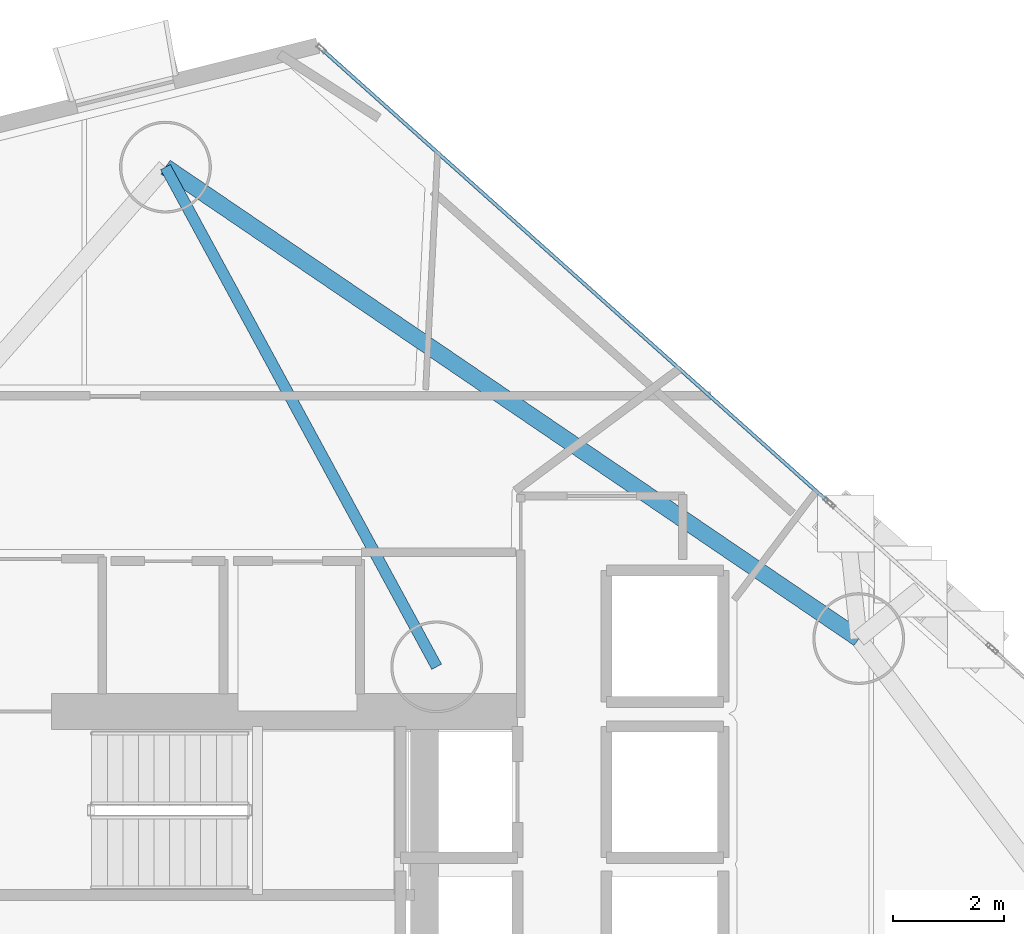
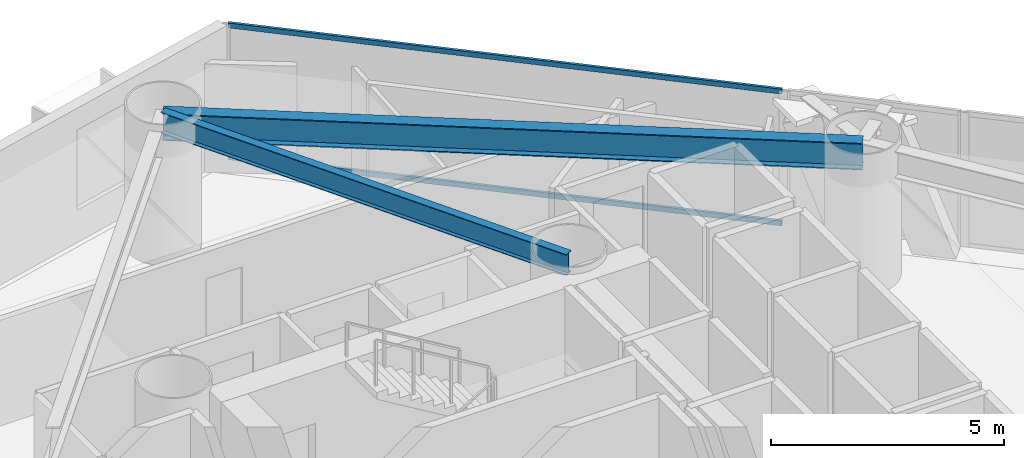
# One storey, part 11 of 24: 2 beams, 2 members, 1 element without a shape of its own.
"""IFC4 building model written with IfcOpenShell, lengths in metres."""

import ifcopenshell
import ifcopenshell.guid

model = None  # the IFC model being written
_history = None  # IfcOwnerHistory: only IFC2X3 demands one
_inside = {}  # id of a spatial element -> (the spatial element, [elements in it])
_under = {}  # id of a project, library or spatial element -> (it, [spatial elements below it])
_declared = {}  # id of a project -> (the project, [libraries it declares])
_typed = {}  # id of a type object -> (the type object, [elements of that type])
_made_of = {}  # id of a material, layer set ... -> (it, [elements and type objects made of it])


def new_model(schema):
    """Start an empty IFC model of exactly this schema.

    Asked for "IFC4X3", IfcOpenShell would pick the latest addendum, in which some entities
    have other attributes; the version numbers below select the first issue.
    IFC2X3 requires an IfcOwnerHistory on every rooted entity: one is made here for all.
    """
    global model, _history
    if schema == "IFC4X3":
        model = ifcopenshell.file(schema_version=(4, 3, 0, 0))
    else:
        model = ifcopenshell.file(schema=schema)
    _inside.clear()
    _under.clear()
    _declared.clear()
    _typed.clear()
    _made_of.clear()
    _history = None
    if model.schema == "IFC2X3":
        org = make("IfcOrganization", Name="unknown")
        user = make(
            "IfcPersonAndOrganization",
            ThePerson=make("IfcPerson", FamilyName="unknown"),
            TheOrganization=org,
        )
        app = make(
            "IfcApplication",
            ApplicationDeveloper=org,
            Version="unknown",
            ApplicationFullName="unknown",
            ApplicationIdentifier="unknown",
        )
        _history = make(
            "IfcOwnerHistory",
            OwningUser=user,
            OwningApplication=app,
            ChangeAction="ADDED",
            CreationDate=0,
        )
    return model


def make(cls, **values):
    """One entity of the class cls with the attributes given. An attribute that is None is left unset."""
    return model.create_entity(
        cls, **{name: value for name, value in values.items() if value is not None}
    )


def rooted(cls, **values):
    """An entity with a GlobalId (a new one), such as an element, a storey or a relation."""
    return make(cls, GlobalId=ifcopenshell.guid.new(), OwnerHistory=_history, **values)


def si_unit(unit_type, name, prefix=None):
    """IfcSIUnit, for example si_unit("LENGTHUNIT", "METRE", prefix="MILLI")."""
    return make("IfcSIUnit", UnitType=unit_type, Prefix=prefix, Name=name)


def assignment(units):
    """IfcUnitAssignment: the units of a project."""
    return None if units is None else make("IfcUnitAssignment", Units=units)


def point(xyz):
    """IfcCartesianPoint."""
    return None if xyz is None else make("IfcCartesianPoint", Coordinates=xyz)


def direction(xyz):
    """IfcDirection."""
    return None if xyz is None else make("IfcDirection", DirectionRatios=xyz)


def frame(location, z_axis=None, x_axis=None):
    """IfcAxis2Placement3D, a coordinate frame: its origin and axes. An axis left out is left unset."""
    return make(
        "IfcAxis2Placement3D",
        Location=point(location),
        Axis=direction(z_axis),
        RefDirection=direction(x_axis),
    )


def frame_2d(location, x_axis=None):
    """IfcAxis2Placement2D, a coordinate frame in the plane: its origin and x axis."""
    return make(
        "IfcAxis2Placement2D", Location=point(location), RefDirection=direction(x_axis)
    )


def origin():
    """The frame at (0, 0, 0) with its axes left unset."""
    return frame((0.0, 0.0, 0.0))


def origin_2d():
    """The frame at (0, 0) in the plane with its x axis left unset."""
    return frame_2d((0.0, 0.0))


def place(relative_to, where):
    """IfcLocalPlacement: puts the frame where relative to a parent placement (None: the world)."""
    return make(
        "IfcLocalPlacement", PlacementRelTo=relative_to, RelativePlacement=where
    )


def context(
    kind, dimensions, precision=None, world=None, true_north=None, identifier=None
):
    """IfcGeometricRepresentationContext, for example the 3D "Model" context."""
    return make(
        "IfcGeometricRepresentationContext",
        ContextIdentifier=identifier,
        ContextType=kind,
        CoordinateSpaceDimension=dimensions,
        Precision=precision,
        WorldCoordinateSystem=world,
        TrueNorth=true_north,
    )


def subcontext(parent, identifier, kind, view, scale=None):
    """IfcGeometricRepresentationSubContext, for example "Body" below "Model"."""
    return make(
        "IfcGeometricRepresentationSubContext",
        ContextIdentifier=identifier,
        ContextType=kind,
        ParentContext=parent,
        TargetScale=scale,
        TargetView=view,
    )


def project(units=None, contexts=None):
    """IfcProject with its units and contexts."""
    return rooted(
        "IfcProject",
        Name="project",
        RepresentationContexts=contexts,
        UnitsInContext=assignment(units),
    )


def spatial(cls, under=None, at=None, **own):
    """A site, building, storey or space (cls), placed at a placement, below another one or the project."""
    s = rooted(cls, ObjectPlacement=at, **own)
    if under is not None:
        _under.setdefault(under.id(), (under, []))[1].append(s)
    return s


def profile(cls, at=None, kind="AREA", **sizes):
    """A parametric profile (cls). Its sizes go by their IFC names, for example OverallWidth=200.0."""
    return make(cls, ProfileType=kind, Position=at, **sizes)


def hollow_rectangle(**sizes):
    """IfcRectangleHollowProfileDef."""
    return profile("IfcRectangleHollowProfileDef", **sizes)


def i_section(**sizes):
    """IfcIShapeProfileDef."""
    return profile("IfcIShapeProfileDef", **sizes)


def extrude(swept, where, along, depth):
    """IfcExtrudedAreaSolid: the profile swept, set in the frame where, extruded along a direction by depth."""
    return make(
        "IfcExtrudedAreaSolid",
        SweptArea=swept,
        Position=where,
        ExtrudedDirection=direction(along),
        Depth=depth,
    )


def shape(context_of_items, identifier, shape_type, items):
    """IfcShapeRepresentation: the items that make up one representation, for example the "Body"."""
    return make(
        "IfcShapeRepresentation",
        ContextOfItems=context_of_items,
        RepresentationIdentifier=identifier,
        RepresentationType=shape_type,
        Items=items,
    )


def material(Name=None, Category=None):
    """IfcMaterial."""
    return make("IfcMaterial", Name=Name, Category=Category)


def layer(
    of_material, thickness, ventilated=None, Name=None, Category=None, Priority=None
):
    """IfcMaterialLayer: one layer of a wall or slab, of a material (None: an air gap)."""
    return make(
        "IfcMaterialLayer",
        Material=of_material,
        LayerThickness=thickness,
        IsVentilated=ventilated,
        Name=Name,
        Category=Category,
        Priority=Priority,
    )


def layer_set(layers, Name=None):
    """IfcMaterialLayerSet."""
    return make("IfcMaterialLayerSet", MaterialLayers=layers, LayerSetName=Name)


def material_profile(
    of_material, cross_section, Name=None, Category=None, Priority=None
):
    """IfcMaterialProfile: a cross section and its material."""
    return make(
        "IfcMaterialProfile",
        Name=Name,
        Material=of_material,
        Profile=cross_section,
        Priority=Priority,
        Category=Category,
    )


def profile_set(profiles, Name=None, composite=None):
    """IfcMaterialProfileSet."""
    return make(
        "IfcMaterialProfileSet",
        Name=Name,
        MaterialProfiles=profiles,
        CompositeProfile=composite,
    )


def made_of(thing, what):
    """Note that an element or type object is made of a material, layer set ...; save() writes the relation."""
    if what is not None:
        _made_of.setdefault(what.id(), (what, []))[1].append(thing)
    return thing


def type_object(cls, material=None, **own):
    """A type object (cls), such as IfcWallType, which elements share."""
    return made_of(rooted(cls, **own), material)


def element(
    cls,
    number,
    at=None,
    inside=None,
    cuts=None,
    type_object=None,
    material=None,
    context=None,
    identifier="Body",
    shape_type=None,
    held_by="IfcProductDefinitionShape",
    body=None,
    shapes=None,
    **own,
):
    """One element of the class cls, such as IfcWall. Its Tag is "e" and its number.

    at: its placement. inside: the storey or other place that contains it. cuts: it is an
    opening in that element (IfcRelVoidsElement). A single representation is given by context,
    identifier, shape_type and body (its items); several are given by shapes. held_by: the class
    of the entity that holds the representations. save() writes the other relations.
    """
    e = rooted(cls, Tag="e%d" % number, ObjectPlacement=at, **own)
    if body is not None:
        shapes = [shape(context, identifier, shape_type, body)]
    if shapes is not None:
        e.Representation = make(held_by, Representations=shapes)
    if inside is not None:
        _inside.setdefault(inside.id(), (inside, []))[1].append(e)
    if cuts is not None:
        rooted(
            "IfcRelVoidsElement", RelatingBuildingElement=cuts, RelatedOpeningElement=e
        )
    if type_object is not None:
        _typed.setdefault(type_object.id(), (type_object, []))[1].append(e)
    return made_of(e, material)


def aggregate(whole, parts):
    """IfcRelAggregates: a whole, such as a stair, and the parts it consists of."""
    return rooted("IfcRelAggregates", RelatingObject=whole, RelatedObjects=parts)


def save(model, path):
    """Write the relations noted so far, then the file.

    IfcRelAggregates (storeys below a building ...), IfcRelContainedInSpatialStructure (elements
    in a storey), IfcRelDefinesByType, IfcRelAssociatesMaterial and IfcRelDeclares: one each for
    every whole, place, type object, material and project.
    """
    for whole, parts in _under.values():
        aggregate(whole, parts)
    for where, things in _inside.values():
        rooted(
            "IfcRelContainedInSpatialStructure",
            RelatedElements=things,
            RelatingStructure=where,
        )
    for kind, things in _typed.values():
        rooted("IfcRelDefinesByType", RelatedObjects=things, RelatingType=kind)
    for what, things in _made_of.values():
        rooted("IfcRelAssociatesMaterial", RelatedObjects=things, RelatingMaterial=what)
    for by, libraries in _declared.values():
        rooted("IfcRelDeclares", RelatingContext=by, RelatedDefinitions=libraries)
    model.write(path)


model = new_model("IFC4")

# Units and contexts
model_context = context("Model", 3, precision=1e-05, world=origin(), true_north=direction((0.0, 1.0)))
body_context = subcontext(model_context, "Body", "Model", "MODEL_VIEW")
ifc_project = project(units=[si_unit("LENGTHUNIT", "METRE"), si_unit("AREAUNIT", "SQUARE_METRE"), si_unit("VOLUMEUNIT", "CUBIC_METRE"), si_unit("PLANEANGLEUNIT", "RADIAN"), si_unit("MASSUNIT", "GRAM", prefix="KILO")], contexts=[model_context])

# Site, building, storey
site_placement = place(None, origin())
site = spatial("IfcSite", under=ifc_project, at=site_placement, CompositionType="ELEMENT")
building_placement = place(site_placement, origin())
building = spatial("IfcBuilding", under=site, at=building_placement, Name="Qianvela Tower", CompositionType="ELEMENT")
storey_placement = place(building_placement, frame((0.0, 0.0, 71.0)))
storey = spatial("IfcBuildingStorey", under=building, at=storey_placement, Name="L17", CompositionType="ELEMENT", Elevation=71.0)

# Beams
ifc_material_1 = material(Name="Steel Q355B", Category="steel")
ifc_material_profile_1 = material_profile(ifc_material_1, i_section(OverallWidth=0.199951171875, OverallDepth=0.550048828125, WebThickness=0.010009765625, FlangeThickness=0.01611328125, at=origin_2d()), Name="HN550x200x10x16")
ifc_profile_set_1 = profile_set([ifc_material_profile_1], Name="Steel Q355B")
beam_type_1 = type_object("IfcBeamType", Name="BM-HN550-GIRD", PredefinedType="BEAM", material=ifc_profile_set_1)
beam_1_placement = place(storey_placement, frame((38.39990234375, 33.550048828125, 3.242919921875), z_axis=(-0.477069714043, 0.878865454972, 0.0), x_axis=(-0.878865454972, -0.477069714043, 0.0)))
element("IfcBeam", 1, at=beam_1_placement, inside=storey, type_object=beam_type_1, Name="L17 Radial Primary Floor Girder 3", PredefinedType="BEAM", context=body_context, shape_type="SweptSolid", body=[
    extrude(i_section(OverallWidth=0.199951171875, OverallDepth=0.550048828125, WebThickness=0.010009765625, FlangeThickness=0.01611328125, at=origin_2d()), origin(), (0.0, 0.0, 1.0), 10.216552734375),
])
ifc_material_2 = material(Name="Steel Q355B", Category="steel")
ifc_material_profile_2 = material_profile(ifc_material_2, i_section(OverallWidth=0.300048828125, OverallDepth=0.699951171875, WebThickness=0.012939453125, FlangeThickness=0.02392578125, at=origin_2d()), Name="HN700x300x13x24")
ifc_profile_set_2 = profile_set([ifc_material_profile_2], Name="Steel Q355B")
beam_type_2 = type_object("IfcBeamType", Name="BM-HN700-SPAND", PredefinedType="SPANDREL", material=ifc_profile_set_2)
beam_2_placement = place(storey_placement, frame((45.98388671875, 34.056884765625, 3.16796875), z_axis=(-0.826904197504, 0.562342820839, 0.0), x_axis=(-0.562342820839, -0.826904197504, 0.0)))
element("IfcBeam", 2, at=beam_2_placement, inside=storey, type_object=beam_type_2, Name="L17 Perimeter Ring Spandrel Girder 2", PredefinedType="SPANDREL", context=body_context, shape_type="SweptSolid", body=[
    extrude(i_section(OverallWidth=0.300048828125, OverallDepth=0.699951171875, WebThickness=0.012939453125, FlangeThickness=0.02392578125, at=origin_2d()), origin(), (0.0, 0.0, 1.0), 15.06591796875),
])

# Curtain wall, members
ifc_material_3 = material(Name="Anodised Architectural Aluminium and Low-E Glass", Category="aluminium")
ifc_layer = layer(ifc_material_3, 0.179931640625)
ifc_layer_set = layer_set([ifc_layer], Name="Anodised Architectural Aluminium and Low-E Glass")
curtain_wall_type = type_object("IfcCurtainWallType", Name="CW-COLIV-Z12", PredefinedType="USERDEFINED", material=ifc_layer_set)
curtain_wall_placement = place(storey_placement, origin())
curtain_wall = element("IfcCurtainWall", 3, at=curtain_wall_placement, inside=storey, type_object=curtain_wall_type, Name="L17 CW-COLIV-Z12 Curtain Wall 02C", ObjectType="CURTAIN_WALL_SYSTEM", PredefinedType="USERDEFINED")
ifc_material_4 = material(Name="Anodised Architectural Aluminium 6063-T6", Category="aluminium")
ifc_material_profile_3 = material_profile(ifc_material_4, hollow_rectangle(XDim=0.06494140625, YDim=0.1298828125, WallThickness=0.00439453125, at=origin_2d()), Name="ALU-TRAN-65x130")
ifc_profile_set_3 = profile_set([ifc_material_profile_3], Name="Anodised Architectural Aluminium 6063-T6")
member_type = type_object("IfcMemberType", Name="CW-COLIV-Z12-TRAN", PredefinedType="USERDEFINED", material=ifc_profile_set_3)
member_1_placement = place(storey_placement, frame((45.4091796875, 36.537841796875, 0.032470703125), z_axis=(-0.745545602058, 0.666454616048, 0.0), x_axis=(-0.666454616048, -0.745545602058, 0.0)))
member_1 = element("IfcMember", 4, at=member_1_placement, type_object=member_type, Name="CW-3 transom 1.1", ObjectType="TRANSOM", PredefinedType="USERDEFINED", context=body_context, shape_type="SweptSolid", body=[
    extrude(hollow_rectangle(XDim=0.06494140625, YDim=0.1298828125, WallThickness=0.00439453125, at=origin_2d()), origin(), (0.0, 0.0, 1.0), 12.146728515625),
])
member_2_placement = place(storey_placement, frame((45.4091796875, 36.537841796875, 3.487548828125), z_axis=(-0.745545602058, 0.666454616048, 0.0), x_axis=(-0.666454616048, -0.745545602058, 0.0)))
member_2 = element("IfcMember", 5, at=member_2_placement, type_object=member_type, Name="CW-3 transom 1.2", ObjectType="TRANSOM", PredefinedType="USERDEFINED", context=body_context, shape_type="SweptSolid", body=[
    extrude(hollow_rectangle(XDim=0.06494140625, YDim=0.1298828125, WallThickness=0.00439453125, at=origin_2d()), origin(), (0.0, 0.0, 1.0), 12.146728515625),
])
aggregate(curtain_wall, [member_1, member_2])

save(model, "model.ifc")
